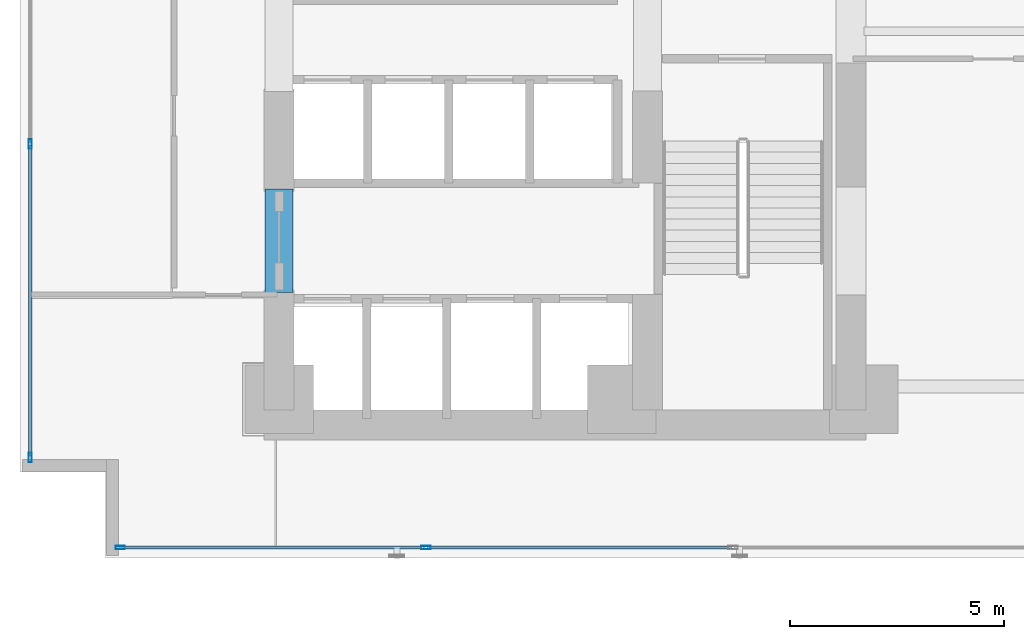
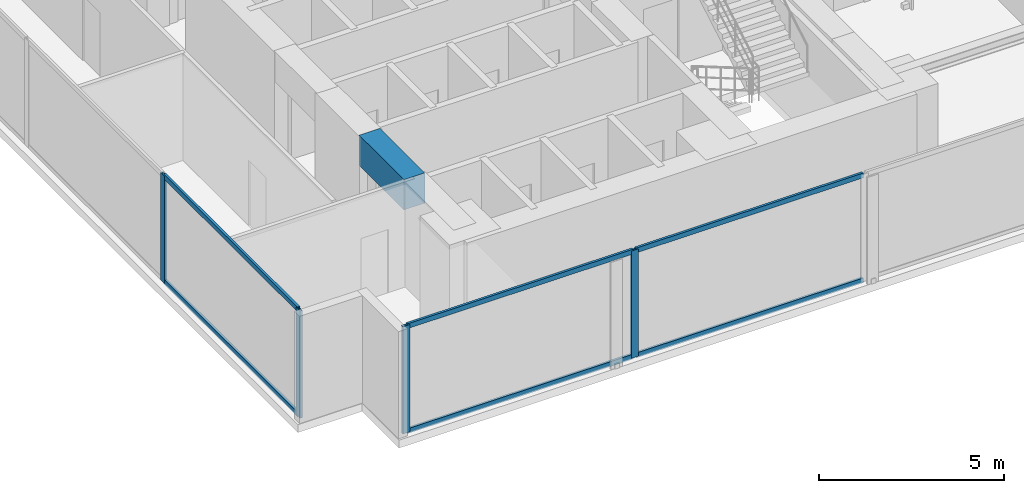
# One storey, part 2 of 30: 10 members, 1 beam, 2 elements without a shape of their own.
"""IFC4 building model written with IfcOpenShell, lengths in metres."""

import ifcopenshell
import ifcopenshell.guid

model = None  # the IFC model being written
_history = None  # IfcOwnerHistory: only IFC2X3 demands one
_inside = {}  # id of a spatial element -> (the spatial element, [elements in it])
_under = {}  # id of a project, library or spatial element -> (it, [spatial elements below it])
_declared = {}  # id of a project -> (the project, [libraries it declares])
_typed = {}  # id of a type object -> (the type object, [elements of that type])
_made_of = {}  # id of a material, layer set ... -> (it, [elements and type objects made of it])


def new_model(schema):
    """Start an empty IFC model of exactly this schema.

    Asked for "IFC4X3", IfcOpenShell would pick the latest addendum, in which some entities
    have other attributes; the version numbers below select the first issue.
    IFC2X3 requires an IfcOwnerHistory on every rooted entity: one is made here for all.
    """
    global model, _history
    if schema == "IFC4X3":
        model = ifcopenshell.file(schema_version=(4, 3, 0, 0))
    else:
        model = ifcopenshell.file(schema=schema)
    _inside.clear()
    _under.clear()
    _declared.clear()
    _typed.clear()
    _made_of.clear()
    _history = None
    if model.schema == "IFC2X3":
        org = make("IfcOrganization", Name="unknown")
        user = make(
            "IfcPersonAndOrganization",
            ThePerson=make("IfcPerson", FamilyName="unknown"),
            TheOrganization=org,
        )
        app = make(
            "IfcApplication",
            ApplicationDeveloper=org,
            Version="unknown",
            ApplicationFullName="unknown",
            ApplicationIdentifier="unknown",
        )
        _history = make(
            "IfcOwnerHistory",
            OwningUser=user,
            OwningApplication=app,
            ChangeAction="ADDED",
            CreationDate=0,
        )
    return model


def make(cls, **values):
    """One entity of the class cls with the attributes given. An attribute that is None is left unset."""
    return model.create_entity(
        cls, **{name: value for name, value in values.items() if value is not None}
    )


def rooted(cls, **values):
    """An entity with a GlobalId (a new one), such as an element, a storey or a relation."""
    return make(cls, GlobalId=ifcopenshell.guid.new(), OwnerHistory=_history, **values)


def si_unit(unit_type, name, prefix=None):
    """IfcSIUnit, for example si_unit("LENGTHUNIT", "METRE", prefix="MILLI")."""
    return make("IfcSIUnit", UnitType=unit_type, Prefix=prefix, Name=name)


def assignment(units):
    """IfcUnitAssignment: the units of a project."""
    return None if units is None else make("IfcUnitAssignment", Units=units)


def point(xyz):
    """IfcCartesianPoint."""
    return None if xyz is None else make("IfcCartesianPoint", Coordinates=xyz)


def direction(xyz):
    """IfcDirection."""
    return None if xyz is None else make("IfcDirection", DirectionRatios=xyz)


def frame(location, z_axis=None, x_axis=None):
    """IfcAxis2Placement3D, a coordinate frame: its origin and axes. An axis left out is left unset."""
    return make(
        "IfcAxis2Placement3D",
        Location=point(location),
        Axis=direction(z_axis),
        RefDirection=direction(x_axis),
    )


def frame_2d(location, x_axis=None):
    """IfcAxis2Placement2D, a coordinate frame in the plane: its origin and x axis."""
    return make(
        "IfcAxis2Placement2D", Location=point(location), RefDirection=direction(x_axis)
    )


def origin():
    """The frame at (0, 0, 0) with its axes left unset."""
    return frame((0.0, 0.0, 0.0))


def origin_with_axes():
    """The frame at (0, 0, 0) with the z axis (0, 0, 1) and the x axis (1, 0, 0) written out."""
    return frame((0.0, 0.0, 0.0), z_axis=(0.0, 0.0, 1.0), x_axis=(1.0, 0.0, 0.0))


def origin_2d():
    """The frame at (0, 0) in the plane with its x axis left unset."""
    return frame_2d((0.0, 0.0))


def place(relative_to, where):
    """IfcLocalPlacement: puts the frame where relative to a parent placement (None: the world)."""
    return make(
        "IfcLocalPlacement", PlacementRelTo=relative_to, RelativePlacement=where
    )


def context(
    kind, dimensions, precision=None, world=None, true_north=None, identifier=None
):
    """IfcGeometricRepresentationContext, for example the 3D "Model" context."""
    return make(
        "IfcGeometricRepresentationContext",
        ContextIdentifier=identifier,
        ContextType=kind,
        CoordinateSpaceDimension=dimensions,
        Precision=precision,
        WorldCoordinateSystem=world,
        TrueNorth=true_north,
    )


def subcontext(parent, identifier, kind, view, scale=None):
    """IfcGeometricRepresentationSubContext, for example "Body" below "Model"."""
    return make(
        "IfcGeometricRepresentationSubContext",
        ContextIdentifier=identifier,
        ContextType=kind,
        ParentContext=parent,
        TargetScale=scale,
        TargetView=view,
    )


def project(units=None, contexts=None):
    """IfcProject with its units and contexts."""
    return rooted(
        "IfcProject",
        Name="project",
        RepresentationContexts=contexts,
        UnitsInContext=assignment(units),
    )


def spatial(cls, under=None, at=None, **own):
    """A site, building, storey or space (cls), placed at a placement, below another one or the project."""
    s = rooted(cls, ObjectPlacement=at, **own)
    if under is not None:
        _under.setdefault(under.id(), (under, []))[1].append(s)
    return s


def profile(cls, at=None, kind="AREA", **sizes):
    """A parametric profile (cls). Its sizes go by their IFC names, for example OverallWidth=200.0."""
    return make(cls, ProfileType=kind, Position=at, **sizes)


def rectangle(**sizes):
    """IfcRectangleProfileDef."""
    return profile("IfcRectangleProfileDef", **sizes)


def hollow_rectangle(**sizes):
    """IfcRectangleHollowProfileDef."""
    return profile("IfcRectangleHollowProfileDef", **sizes)


def extrude(swept, where, along, depth):
    """IfcExtrudedAreaSolid: the profile swept, set in the frame where, extruded along a direction by depth."""
    return make(
        "IfcExtrudedAreaSolid",
        SweptArea=swept,
        Position=where,
        ExtrudedDirection=direction(along),
        Depth=depth,
    )


def shape(context_of_items, identifier, shape_type, items):
    """IfcShapeRepresentation: the items that make up one representation, for example the "Body"."""
    return make(
        "IfcShapeRepresentation",
        ContextOfItems=context_of_items,
        RepresentationIdentifier=identifier,
        RepresentationType=shape_type,
        Items=items,
    )


def source(mapping_origin, context_of_items, identifier, shape_type, items):
    """IfcRepresentationMap: a shape defined once, which mapped items show again and again."""
    return make(
        "IfcRepresentationMap",
        MappingOrigin=mapping_origin,
        MappedRepresentation=shape(context_of_items, identifier, shape_type, items),
    )


def transform(
    local_origin,
    x_axis=None,
    y_axis=None,
    z_axis=None,
    scale=None,
    scale2=None,
    scale3=None,
    uniform=True,
):
    """IfcCartesianTransformationOperator3D, or its non-uniform kind. x_axis, y_axis, z_axis: its Axis1, 2, 3."""
    if uniform:
        return make(
            "IfcCartesianTransformationOperator3D",
            Axis1=direction(x_axis),
            Axis2=direction(y_axis),
            LocalOrigin=point(local_origin),
            Scale=scale,
            Axis3=direction(z_axis),
        )
    return make(
        "IfcCartesianTransformationOperator3DnonUniform",
        Axis1=direction(x_axis),
        Axis2=direction(y_axis),
        LocalOrigin=point(local_origin),
        Scale=scale,
        Axis3=direction(z_axis),
        Scale2=scale2,
        Scale3=scale3,
    )


def mapped(mapping_source, mapping_target):
    """IfcMappedItem: shows the shape of a source again, moved by a transform."""
    return make(
        "IfcMappedItem", MappingSource=mapping_source, MappingTarget=mapping_target
    )


def material(Name=None, Category=None):
    """IfcMaterial."""
    return make("IfcMaterial", Name=Name, Category=Category)


def layer(
    of_material, thickness, ventilated=None, Name=None, Category=None, Priority=None
):
    """IfcMaterialLayer: one layer of a wall or slab, of a material (None: an air gap)."""
    return make(
        "IfcMaterialLayer",
        Material=of_material,
        LayerThickness=thickness,
        IsVentilated=ventilated,
        Name=Name,
        Category=Category,
        Priority=Priority,
    )


def layer_set(layers, Name=None):
    """IfcMaterialLayerSet."""
    return make("IfcMaterialLayerSet", MaterialLayers=layers, LayerSetName=Name)


def material_profile(
    of_material, cross_section, Name=None, Category=None, Priority=None
):
    """IfcMaterialProfile: a cross section and its material."""
    return make(
        "IfcMaterialProfile",
        Name=Name,
        Material=of_material,
        Profile=cross_section,
        Priority=Priority,
        Category=Category,
    )


def profile_set(profiles, Name=None, composite=None):
    """IfcMaterialProfileSet."""
    return make(
        "IfcMaterialProfileSet",
        Name=Name,
        MaterialProfiles=profiles,
        CompositeProfile=composite,
    )


def made_of(thing, what):
    """Note that an element or type object is made of a material, layer set ...; save() writes the relation."""
    if what is not None:
        _made_of.setdefault(what.id(), (what, []))[1].append(thing)
    return thing


def type_object(cls, material=None, **own):
    """A type object (cls), such as IfcWallType, which elements share."""
    return made_of(rooted(cls, **own), material)


def element(
    cls,
    number,
    at=None,
    inside=None,
    cuts=None,
    type_object=None,
    material=None,
    context=None,
    identifier="Body",
    shape_type=None,
    held_by="IfcProductDefinitionShape",
    body=None,
    shapes=None,
    **own,
):
    """One element of the class cls, such as IfcWall. Its Tag is "e" and its number.

    at: its placement. inside: the storey or other place that contains it. cuts: it is an
    opening in that element (IfcRelVoidsElement). A single representation is given by context,
    identifier, shape_type and body (its items); several are given by shapes. held_by: the class
    of the entity that holds the representations. save() writes the other relations.
    """
    e = rooted(cls, Tag="e%d" % number, ObjectPlacement=at, **own)
    if body is not None:
        shapes = [shape(context, identifier, shape_type, body)]
    if shapes is not None:
        e.Representation = make(held_by, Representations=shapes)
    if inside is not None:
        _inside.setdefault(inside.id(), (inside, []))[1].append(e)
    if cuts is not None:
        rooted(
            "IfcRelVoidsElement", RelatingBuildingElement=cuts, RelatedOpeningElement=e
        )
    if type_object is not None:
        _typed.setdefault(type_object.id(), (type_object, []))[1].append(e)
    return made_of(e, material)


def aggregate(whole, parts):
    """IfcRelAggregates: a whole, such as a stair, and the parts it consists of."""
    return rooted("IfcRelAggregates", RelatingObject=whole, RelatedObjects=parts)


def save(model, path):
    """Write the relations noted so far, then the file.

    IfcRelAggregates (storeys below a building ...), IfcRelContainedInSpatialStructure (elements
    in a storey), IfcRelDefinesByType, IfcRelAssociatesMaterial and IfcRelDeclares: one each for
    every whole, place, type object, material and project.
    """
    for whole, parts in _under.values():
        aggregate(whole, parts)
    for where, things in _inside.values():
        rooted(
            "IfcRelContainedInSpatialStructure",
            RelatedElements=things,
            RelatingStructure=where,
        )
    for kind, things in _typed.values():
        rooted("IfcRelDefinesByType", RelatedObjects=things, RelatingType=kind)
    for what, things in _made_of.values():
        rooted("IfcRelAssociatesMaterial", RelatedObjects=things, RelatingMaterial=what)
    for by, libraries in _declared.values():
        rooted("IfcRelDeclares", RelatingContext=by, RelatedDefinitions=libraries)
    model.write(path)


model = new_model("IFC4")

# Units and contexts
model_context = context("Model", 3, precision=1e-05, world=origin(), true_north=direction((0.0, 1.0)))
body_context = subcontext(model_context, "Body", "Model", "MODEL_VIEW")
ifc_project = project(units=[si_unit("LENGTHUNIT", "METRE"), si_unit("AREAUNIT", "SQUARE_METRE"), si_unit("VOLUMEUNIT", "CUBIC_METRE"), si_unit("PLANEANGLEUNIT", "RADIAN"), si_unit("MASSUNIT", "GRAM", prefix="KILO")], contexts=[model_context])

# Site, building, storey
site_placement = place(None, origin())
site = spatial("IfcSite", under=ifc_project, at=site_placement, CompositionType="ELEMENT")
building_placement = place(site_placement, origin())
building = spatial("IfcBuilding", under=site, at=building_placement, Name="Kolvaren Waterfront Exchange", CompositionType="ELEMENT")
storey_placement = place(building_placement, frame((0.0, 0.0, 71.39990234375)))
storey = spatial("IfcBuildingStorey", under=building, at=storey_placement, Name="L18", CompositionType="ELEMENT", Elevation=71.39990234375)

# Beam
ifc_material_1 = material(Name="Concrete C60/75", Category="concrete")
ifc_material_profile_1 = material_profile(ifc_material_1, rectangle(XDim=0.64990234375, YDim=1.0, at=origin_2d()), Name="RC-CB-1000x650")
ifc_profile_set_1 = profile_set([ifc_material_profile_1], Name="Concrete C60/75")
beam_type = type_object("IfcBeamType", Name="STR-CB-1000", PredefinedType="SPANDREL", material=ifc_profile_set_1)
beam_placement = place(storey_placement, frame((7.449951171875, 7.389892578125, 3.0400390625), z_axis=(0.0, 1.0, 0.0), x_axis=(-1.0, 0.0, 0.0)))
element("IfcBeam", 1, at=beam_placement, inside=storey, type_object=beam_type, Name="L18 core coupling beam 3", PredefinedType="SPANDREL", context=body_context, shape_type="SweptSolid", body=[
    extrude(rectangle(XDim=0.64990234375, YDim=1.0, at=origin_2d()), origin(), (0.0, 0.0, 1.0), 2.420166015625),
])

# Curtain wall, members
ifc_material_2 = material(Name="Anodised bronze aluminium 6063-T6", Category="aluminium")
ifc_layer_1 = layer(ifc_material_2, 0.219970703125, Name="Anodised bronze aluminium 6063-T6")
ifc_layer_set_1 = layer_set([ifc_layer_1], Name="Anodised bronze aluminium 6063-T6")
curtain_wall_type_1 = type_object("IfcCurtainWallType", Name="ARC-CW-SYS1", PredefinedType="USERDEFINED", material=ifc_layer_set_1)
curtain_wall_1_placement = place(storey_placement, origin())
curtain_wall_1 = element("IfcCurtainWall", 2, at=curtain_wall_1_placement, inside=storey, type_object=curtain_wall_type_1, Name="L18 stick curtain wall CW1 (CW-L18-S)", ObjectType="STICK CURTAIN WALL", PredefinedType="USERDEFINED")
ifc_material_3 = material(Name="Anodised aluminium 6063-T6", Category="aluminium")
ifc_material_profile_2 = material_profile(ifc_material_3, hollow_rectangle(XDim=0.074951171875, YDim=0.159912109375, WallThickness=0.00439453125, at=origin_2d()), Name="ALU-TRN-160x75x4.5")
ifc_profile_set_2 = profile_set([ifc_material_profile_2], Name="Anodised aluminium 6063-T6")
member_type_1 = type_object("IfcMemberType", Name="ARC-CWT-160", PredefinedType="USERDEFINED", material=ifc_profile_set_2)
shared_shape_1 = source(origin_with_axes(), body_context, "Body", "SweptSolid", [
    extrude(hollow_rectangle(XDim=0.074951171875, YDim=0.159912109375, WallThickness=0.00439453125, at=origin_2d()), origin(), (0.0, 0.0, 1.0), 7.054931640625),
])
member_1_placement = place(storey_placement, frame((3.780029296875, 1.43994140625, 0.03759765625), z_axis=(1.0, 0.0, 0.0), x_axis=(0.0, 1.0, 0.0)))
member_1 = element("IfcMember", 3, at=member_1_placement, type_object=member_type_1, Name="CW1 transom 1.1", ObjectType="TRANSOM", PredefinedType="USERDEFINED", context=body_context, shape_type="MappedRepresentation", body=[
    mapped(shared_shape_1, transform((0.0, 0.0, 0.0), x_axis=(1.0, 0.0, 0.0), y_axis=(0.0, 1.0, 0.0), z_axis=(0.0, 0.0, 1.0), scale=1.0)),
])
member_2_placement = place(storey_placement, frame((3.780029296875, 1.43994140625, 3.502685546875), z_axis=(1.0, 0.0, 0.0), x_axis=(0.0, 1.0, 0.0)))
member_2 = element("IfcMember", 4, at=member_2_placement, type_object=member_type_1, Name="CW1 transom 1.2", ObjectType="TRANSOM", PredefinedType="USERDEFINED", context=body_context, shape_type="MappedRepresentation", body=[
    mapped(shared_shape_1, transform((0.0, 0.0, 0.0), x_axis=(1.0, 0.0, 0.0), y_axis=(0.0, 1.0, 0.0), z_axis=(0.0, 0.0, 1.0), scale=1.0)),
])
shared_shape_2 = source(origin_with_axes(), body_context, "Body", "SweptSolid", [
    extrude(hollow_rectangle(XDim=0.074951171875, YDim=0.159912109375, WallThickness=0.00439453125, at=origin_2d()), origin(), (0.0, 0.0, 1.0), 7.094970703125),
])
member_3_placement = place(storey_placement, frame((10.9150390625, 1.43994140625, 0.03759765625), z_axis=(1.0, 0.0, 0.0), x_axis=(0.0, 1.0, 0.0)))
member_3 = element("IfcMember", 5, at=member_3_placement, type_object=member_type_1, Name="CW1 transom 2.1", ObjectType="TRANSOM", PredefinedType="USERDEFINED", context=body_context, shape_type="MappedRepresentation", body=[
    mapped(shared_shape_2, transform((0.0, 0.0, 0.0), x_axis=(1.0, 0.0, 0.0), y_axis=(0.0, 1.0, 0.0), z_axis=(0.0, 0.0, 1.0), scale=1.0)),
])
member_4_placement = place(storey_placement, frame((10.9150390625, 1.43994140625, 3.502685546875), z_axis=(1.0, 0.0, 0.0), x_axis=(0.0, 1.0, 0.0)))
member_4 = element("IfcMember", 6, at=member_4_placement, type_object=member_type_1, Name="CW1 transom 2.2", ObjectType="TRANSOM", PredefinedType="USERDEFINED", context=body_context, shape_type="MappedRepresentation", body=[
    mapped(shared_shape_2, transform((0.0, 0.0, 0.0), x_axis=(1.0, 0.0, 0.0), y_axis=(0.0, 1.0, 0.0), z_axis=(0.0, 0.0, 1.0), scale=1.0)),
])

ifc_layer_2 = layer(ifc_material_3, 0.219970703125, Name="Anodised aluminium 6063-T6")
ifc_layer_set_2 = layer_set([ifc_layer_2], Name="Anodised aluminium 6063-T6")
curtain_wall_type_2 = type_object("IfcCurtainWallType", Name="ARC-CW-SYS2", PredefinedType="USERDEFINED", material=ifc_layer_set_2)
curtain_wall_2_placement = place(storey_placement, origin())
curtain_wall_2 = element("IfcCurtainWall", 7, at=curtain_wall_2_placement, inside=storey, type_object=curtain_wall_type_2, Name="L18 stick curtain wall CW2 (CW-L18-W)", ObjectType="STICK CURTAIN WALL", PredefinedType="USERDEFINED")
shared_shape_3 = source(origin_with_axes(), body_context, "Body", "SweptSolid", [
    extrude(hollow_rectangle(XDim=0.074951171875, YDim=0.159912109375, WallThickness=0.00439453125, at=origin_2d()), origin(), (0.0, 0.0, 1.0), 7.24658203125),
])
member_5_placement = place(storey_placement, frame((1.639892578125, 3.580078125, 0.03759765625), z_axis=(0.0, 1.0, 0.0), x_axis=(-1.0, 0.0, 0.0)))
member_5 = element("IfcMember", 8, at=member_5_placement, type_object=member_type_1, Name="CW2 transom 1.1", ObjectType="TRANSOM", PredefinedType="USERDEFINED", context=body_context, shape_type="MappedRepresentation", body=[
    mapped(shared_shape_3, transform((0.0, 0.0, 0.0), x_axis=(1.0, 0.0, 0.0), y_axis=(0.0, 1.0, 0.0), z_axis=(0.0, 0.0, 1.0), scale=1.0)),
])
member_6_placement = place(storey_placement, frame((1.639892578125, 3.580078125, 3.502685546875), z_axis=(0.0, 1.0, 0.0), x_axis=(-1.0, 0.0, 0.0)))
member_6 = element("IfcMember", 9, at=member_6_placement, type_object=member_type_1, Name="CW2 transom 1.2", ObjectType="TRANSOM", PredefinedType="USERDEFINED", context=body_context, shape_type="MappedRepresentation", body=[
    mapped(shared_shape_3, transform((0.0, 0.0, 0.0), x_axis=(1.0, 0.0, 0.0), y_axis=(0.0, 1.0, 0.0), z_axis=(0.0, 0.0, 1.0), scale=1.0)),
])

# Member
ifc_material_profile_3 = material_profile(ifc_material_3, hollow_rectangle(XDim=0.080078125, YDim=0.219970703125, WallThickness=0.0048828125, at=origin_2d()), Name="ALU-MUL-220x80x5")
ifc_profile_set_3 = profile_set([ifc_material_profile_3], Name="Anodised aluminium 6063-T6")
member_type_2 = type_object("IfcMemberType", Name="ARC-CWM-220", PredefinedType="MULLION", material=ifc_profile_set_3)
shared_shape_4 = source(origin_with_axes(), body_context, "Body", "SweptSolid", [
    extrude(hollow_rectangle(XDim=0.080078125, YDim=0.219970703125, WallThickness=0.0048828125, at=origin_2d()), origin(), (0.0, 0.0, 1.0), 3.5400390625),
])
member_7_placement = place(storey_placement, frame((3.739990234375, 1.43994140625, 0.0), z_axis=(0.0, 0.0, 1.0), x_axis=(0.0, 1.0, 0.0)))
member_7 = element("IfcMember", 10, at=member_7_placement, type_object=member_type_2, Name="CW1 mullion 1", PredefinedType="MULLION", context=body_context, shape_type="MappedRepresentation", body=[
    mapped(shared_shape_4, transform((0.0, 0.0, 0.0), x_axis=(1.0, 0.0, 0.0), y_axis=(0.0, 1.0, 0.0), z_axis=(0.0, 0.0, 1.0), scale=1.0)),
])

member_8_placement = place(storey_placement, frame((10.875, 1.43994140625, 0.0), z_axis=(0.0, 0.0, 1.0), x_axis=(0.0, 1.0, 0.0)))
member_8 = element("IfcMember", 11, at=member_8_placement, type_object=member_type_2, Name="CW1 mullion 2", PredefinedType="MULLION", context=body_context, shape_type="MappedRepresentation", body=[
    mapped(shared_shape_4, transform((0.0, 0.0, 0.0), x_axis=(1.0, 0.0, 0.0), y_axis=(0.0, 1.0, 0.0), z_axis=(0.0, 0.0, 1.0), scale=1.0)),
])

aggregate(curtain_wall_1, [member_7, member_8, member_1, member_2, member_3, member_4])

member_9_placement = place(storey_placement, frame((1.639892578125, 3.5400390625, 0.0), z_axis=(0.0, 0.0, 1.0), x_axis=(-1.0, 0.0, 0.0)))
member_9 = element("IfcMember", 12, at=member_9_placement, type_object=member_type_2, Name="CW2 mullion 1", PredefinedType="MULLION", context=body_context, shape_type="MappedRepresentation", body=[
    mapped(shared_shape_4, transform((0.0, 0.0, 0.0), x_axis=(1.0, 0.0, 0.0), y_axis=(0.0, 1.0, 0.0), z_axis=(0.0, 0.0, 1.0), scale=1.0)),
])

member_10_placement = place(storey_placement, frame((1.639892578125, 10.86669921875, 0.0), z_axis=(0.0, 0.0, 1.0), x_axis=(-1.0, 0.0, 0.0)))
member_10 = element("IfcMember", 13, at=member_10_placement, type_object=member_type_2, Name="CW2 mullion 2", PredefinedType="MULLION", context=body_context, shape_type="MappedRepresentation", body=[
    mapped(shared_shape_4, transform((0.0, 0.0, 0.0), x_axis=(1.0, 0.0, 0.0), y_axis=(0.0, 1.0, 0.0), z_axis=(0.0, 0.0, 1.0), scale=1.0)),
])

aggregate(curtain_wall_2, [member_9, member_10, member_5, member_6])

save(model, "model.ifc")
